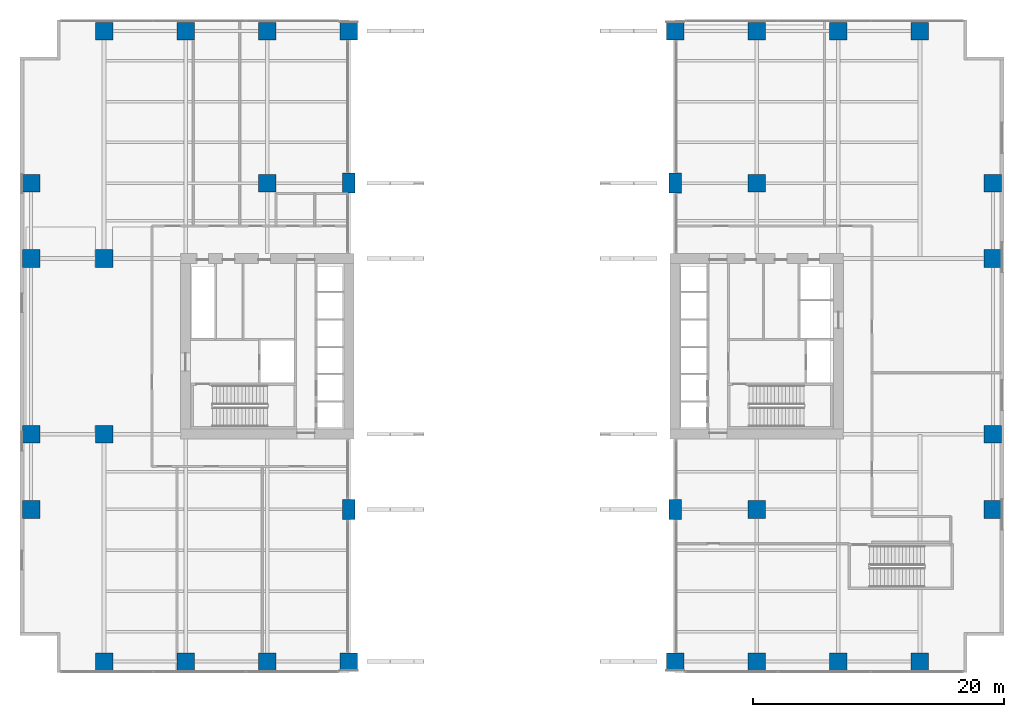
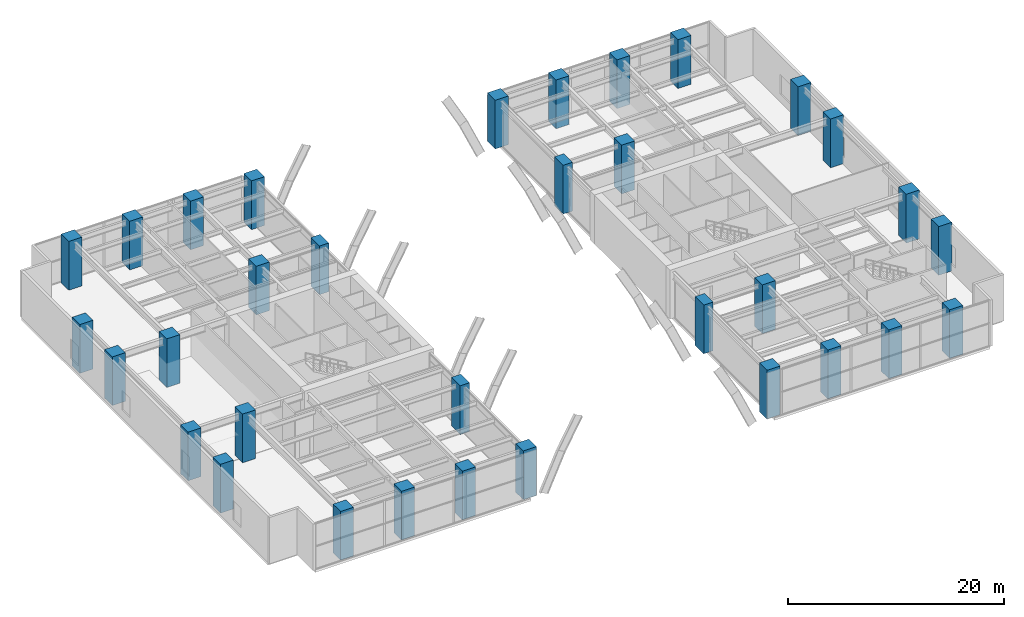
# One storey, part 1 of 17: 33 columns.
"""IFC4 building model written with IfcOpenShell, lengths in metres."""

from ifc_helpers import new_model, si_unit, direction, frame, origin, origin_2d, place, context, subcontext, project, spatial, rectangle, extrude, material, material_profile, profile_set, type_object, element, save


model = new_model("IFC4")

# Units and contexts
model_context = context("Model", 3, precision=1e-05, world=origin(), true_north=direction((0.0, 1.0)))
body_context = subcontext(model_context, "Body", "Model", "MODEL_VIEW")
ifc_project = project(units=[si_unit("LENGTHUNIT", "METRE"), si_unit("AREAUNIT", "SQUARE_METRE"), si_unit("VOLUMEUNIT", "CUBIC_METRE"), si_unit("PLANEANGLEUNIT", "RADIAN"), si_unit("MASSUNIT", "GRAM", prefix="KILO")], contexts=[model_context])

# Site, building, storey
site_placement = place(None, origin())
site = spatial("IfcSite", under=ifc_project, at=site_placement, CompositionType="ELEMENT")
building_placement = place(site_placement, origin())
building = spatial("IfcBuilding", under=site, at=building_placement, Name="Putna Gate Headquarters", CompositionType="ELEMENT")
storey_placement = place(building_placement, frame((0.0, 0.0, 6.0)))
storey = spatial("IfcBuildingStorey", under=building, at=storey_placement, Name="L01", CompositionType="ELEMENT", Elevation=6.0)

# Columns
ifc_material = material(Name="Concrete C60/75", Category="concrete")
ifc_material_profile_1 = material_profile(ifc_material, rectangle(XDim=1.0, YDim=1.60009765625, at=origin_2d()), Name="Concrete C60/75")
ifc_profile_set_1 = profile_set([ifc_material_profile_1], Name="Concrete C60/75")
column_type_1 = type_object("IfcColumnType", Name="COL-PILASTER-1600", PredefinedType="PILASTER", material=ifc_profile_set_1)
for number, where, z_axis, x_axis, name in (
    (1, (26.0, 13.0, 0.0), (0.0, 0.0, 1.0), (1.0, 0.0, 0.0), "L01 Column CAP-WS"),
    (2, (26.0, 39.0, 0.0), (0.0, 0.0, 1.0), (1.0, 0.0, 0.0), "L01 Column CAP-WN"),
    (3, (52.0, 13.0, 0.0), (0.0, 0.0, 1.0), (1.0, 0.0, 0.0), "L01 Column CAP-ES"),
    (4, (52.0, 39.0, 0.0), (0.0, 0.0, 1.0), (1.0, 0.0, 0.0), "L01 Column CAP-EN"),
):
    element("IfcColumn", number, at=place(storey_placement, frame(where, z_axis=z_axis, x_axis=x_axis)), inside=storey, type_object=column_type_1, Name=name, PredefinedType="PILASTER", context=body_context, shape_type="SweptSolid", body=[
        extrude(rectangle(XDim=1.0, YDim=1.60009765625, at=origin_2d()), origin(), (0.0, 0.0, 1.0), 5.5),
    ])
ifc_material_profile_2 = material_profile(ifc_material, rectangle(XDim=1.39990234375, YDim=1.39990234375, at=origin_2d()), Name="Concrete C60/75")
ifc_profile_set_2 = profile_set([ifc_material_profile_2], Name="Concrete C60/75")
column_type_2 = type_object("IfcColumnType", Name="COL-RC1400-EXT", PredefinedType="COLUMN", material=ifc_profile_set_2)
for number, where, z_axis, x_axis, name in (
    (5, (6.5, 0.8798828125, 0.0), (0.0, 0.0, 1.0), (1.0, 0.0, 0.0), "L01 Column CP-S6"),
    (6, (6.5, 51.1201171875, 0.0), (0.0, 0.0, 1.0), (1.0, 0.0, 0.0), "L01 Column CP-N6"),
    (7, (13.0, 0.8798828125, 0.0), (0.0, 0.0, 1.0), (1.0, 0.0, 0.0), "L01 Column CP-S13"),
    (8, (13.0, 51.1201171875, 0.0), (0.0, 0.0, 1.0), (1.0, 0.0, 0.0), "L01 Column CP-N13"),
    (9, (19.5, 0.8798828125, 0.0), (0.0, 0.0, 1.0), (1.0, 0.0, 0.0), "L01 Column CP-S19"),
    (10, (19.5, 51.1201171875, 0.0), (0.0, 0.0, 1.0), (1.0, 0.0, 0.0), "L01 Column CP-N19"),
    (11, (26.0, 0.8798828125, 0.0), (0.0, 0.0, 1.0), (1.0, 0.0, 0.0), "L01 Column CP-S26"),
    (12, (26.0, 51.1201171875, 0.0), (0.0, 0.0, 1.0), (1.0, 0.0, 0.0), "L01 Column CP-N26"),
    (13, (52.0, 0.8798828125, 0.0), (0.0, 0.0, 1.0), (1.0, 0.0, 0.0), "L01 Column CP-S52"),
    (14, (52.0, 51.1201171875, 0.0), (0.0, 0.0, 1.0), (1.0, 0.0, 0.0), "L01 Column CP-N52"),
    (15, (58.5, 0.8798828125, 0.0), (0.0, 0.0, 1.0), (1.0, 0.0, 0.0), "L01 Column CP-S58"),
    (16, (58.5, 51.1201171875, 0.0), (0.0, 0.0, 1.0), (1.0, 0.0, 0.0), "L01 Column CP-N58"),
    (17, (65.0, 0.8798828125, 0.0), (0.0, 0.0, 1.0), (1.0, 0.0, 0.0), "L01 Column CP-S65"),
    (18, (65.0, 51.1201171875, 0.0), (0.0, 0.0, 1.0), (1.0, 0.0, 0.0), "L01 Column CP-N65"),
    (19, (71.5, 0.8798828125, 0.0), (0.0, 0.0, 1.0), (1.0, 0.0, 0.0), "L01 Column CP-S71"),
    (20, (71.5, 51.1201171875, 0.0), (0.0, 0.0, 1.0), (1.0, 0.0, 0.0), "L01 Column CP-N71"),
    (21, (0.679931640625, 13.0, 0.0), (0.0, 0.0, 1.0), (1.0, 0.0, 0.0), "L01 Column CP-W13"),
    (22, (77.320068359375, 13.0, 0.0), (0.0, 0.0, 1.0), (1.0, 0.0, 0.0), "L01 Column CP-E13"),
    (23, (0.679931640625, 19.0, 0.0), (0.0, 0.0, 1.0), (1.0, 0.0, 0.0), "L01 Column CP-W19"),
    (24, (77.320068359375, 19.0, 0.0), (0.0, 0.0, 1.0), (1.0, 0.0, 0.0), "L01 Column CP-E19"),
    (25, (0.679931640625, 33.0, 0.0), (0.0, 0.0, 1.0), (1.0, 0.0, 0.0), "L01 Column CP-W33"),
    (26, (77.320068359375, 33.0, 0.0), (0.0, 0.0, 1.0), (1.0, 0.0, 0.0), "L01 Column CP-E33"),
    (27, (0.679931640625, 39.0, 0.0), (0.0, 0.0, 1.0), (1.0, 0.0, 0.0), "L01 Column CP-W39"),
    (28, (77.320068359375, 39.0, 0.0), (0.0, 0.0, 1.0), (1.0, 0.0, 0.0), "L01 Column CP-E39"),
):
    element("IfcColumn", number, at=place(storey_placement, frame(where, z_axis=z_axis, x_axis=x_axis)), inside=storey, type_object=column_type_2, Name=name, PredefinedType="COLUMN", context=body_context, shape_type="SweptSolid", body=[
        extrude(rectangle(XDim=1.39990234375, YDim=1.39990234375, at=origin_2d()), origin(), (0.0, 0.0, 1.0), 5.5),
    ])
ifc_material_profile_3 = material_profile(ifc_material, rectangle(XDim=1.39990234375, YDim=1.39990234375, at=origin_2d()), Name="Concrete C60/75")
ifc_profile_set_3 = profile_set([ifc_material_profile_3], Name="Concrete C60/75")
column_type_3 = type_object("IfcColumnType", Name="COL-RC1400-INT", PredefinedType="COLUMN", material=ifc_profile_set_3)
for number, where, z_axis, x_axis, name in (
    (29, (19.5, 39.0, 0.0), (0.0, 0.0, 1.0), (1.0, 0.0, 0.0), "L01 Column CSI-WN"),
    (30, (58.5, 13.0, 0.0), (0.0, 0.0, 1.0), (1.0, 0.0, 0.0), "L01 Column CSI-ES"),
    (31, (58.5, 39.0, 0.0), (0.0, 0.0, 1.0), (1.0, 0.0, 0.0), "L01 Column CSI-EN"),
    (32, (6.5, 19.0, 0.0), (0.0, 0.0, 1.0), (1.0, 0.0, 0.0), "L01 Column CSI-WM"),
    (33, (6.5, 33.0, 0.0), (0.0, 0.0, 1.0), (1.0, 0.0, 0.0), "L01 Column CSI-WNW"),
):
    element("IfcColumn", number, at=place(storey_placement, frame(where, z_axis=z_axis, x_axis=x_axis)), inside=storey, type_object=column_type_3, Name=name, PredefinedType="COLUMN", context=body_context, shape_type="SweptSolid", body=[
        extrude(rectangle(XDim=1.39990234375, YDim=1.39990234375, at=origin_2d()), origin(), (0.0, 0.0, 1.0), 5.5),
    ])

save(model, "model.ifc")
